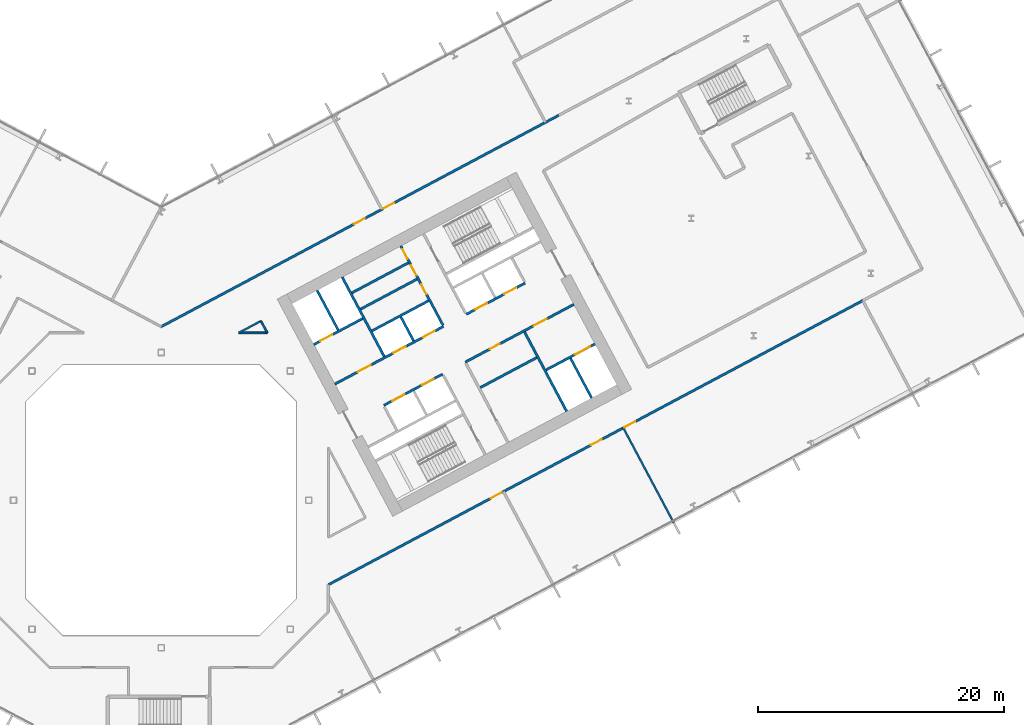
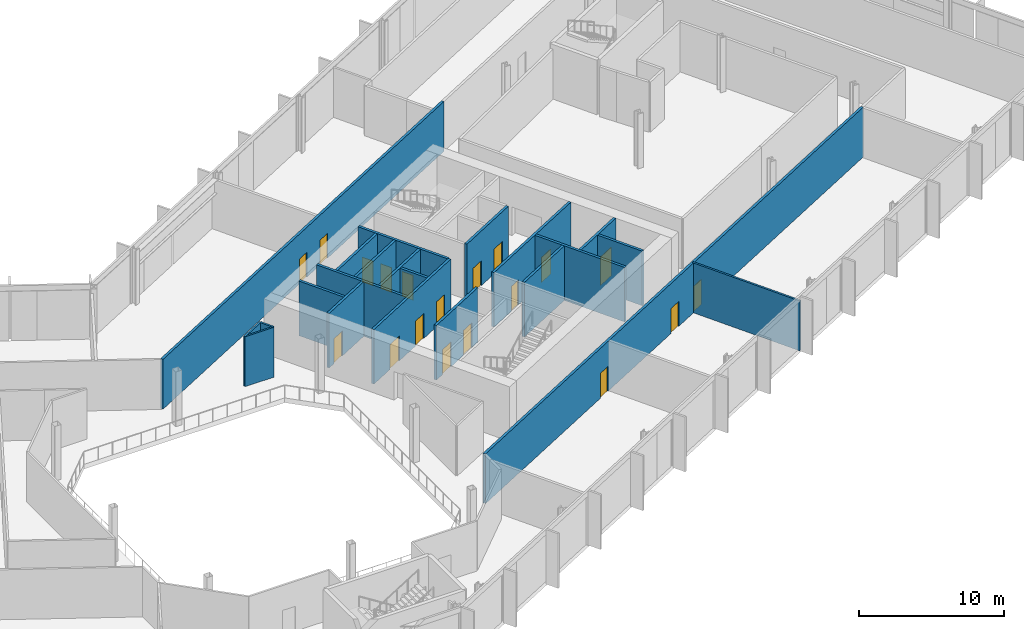
# One storey, part 17 of 30: 22 walls, 19 doors, 19 openings.
"""IFC4 building model written with IfcOpenShell, lengths in metres."""

from ifc_helpers import new_model, si_unit, direction, frame, frame_2d, origin, place, context, subcontext, project, spatial, rectangle, extrude, material, layer, layer_set, type_object, element, fill, save


model = new_model("IFC4")

# Units and contexts
model_context = context("Model", 3, precision=1e-05, world=origin(), true_north=direction((0.0, 1.0)))
body_context = subcontext(model_context, "Body", "Model", "MODEL_VIEW")
ifc_project = project(units=[si_unit("LENGTHUNIT", "METRE"), si_unit("AREAUNIT", "SQUARE_METRE"), si_unit("VOLUMEUNIT", "CUBIC_METRE"), si_unit("PLANEANGLEUNIT", "RADIAN"), si_unit("MASSUNIT", "GRAM", prefix="KILO")], contexts=[model_context])

# Site, building, storey
site_placement = place(None, origin())
site = spatial("IfcSite", under=ifc_project, at=site_placement, CompositionType="ELEMENT")
building_placement = place(site_placement, origin())
building = spatial("IfcBuilding", under=site, at=building_placement, Name="Cormorant Relay Tower", CompositionType="ELEMENT")
storey_placement = place(building_placement, frame((0.0, 0.0, 89.199951171875)))
storey = spatial("IfcBuildingStorey", under=building, at=storey_placement, Name="L17", CompositionType="ELEMENT", Elevation=89.199951171875)

# Walls
ifc_material_1 = material(Name="Concrete 40 MPa", Category="concrete")
ifc_layer_1 = layer(ifc_material_1, 0.199951171875)
ifc_layer_set_1 = layer_set([ifc_layer_1], Name="Core internal wall 200")
wall_type_1 = type_object("IfcWallType", Name="Core internal wall 200", PredefinedType="SOLIDWALL", material=ifc_layer_set_1)
wall_1_placement = place(storey_placement, frame((20.522216796875, 12.950439453125, 0.0), z_axis=(0.0, 0.0, 1.0), x_axis=(-0.469401318492, 0.882984938828, 0.0)))
element("IfcWall", 1, at=wall_1_placement, inside=storey, type_object=wall_type_1, Name="L17 core B shaft and room wall", PredefinedType="SOLIDWALL", context=body_context, shape_type="SweptSolid", body=[
    extrude(rectangle(XDim=2.199951171875, YDim=0.199951171875, at=frame_2d((1.10009765625, 0.0))), origin(), (0.0, 0.0, 1.0), 4.60009765625),
])
for number, where, z_axis, x_axis, name in (
    (2, (16.2080078125, 15.526611328125, 0.0), (0.0, 0.0, 1.0), (0.882953967957, 0.469459572775, 0.0), "L17 core B shaft and room wall"),
    (3, (15.503662109375, 16.85107421875, 0.0), (0.0, 0.0, 1.0), (0.882953967957, 0.469459572775, 0.0), "L17 core B shaft and room wall"),
):
    element("IfcWall", number, at=place(storey_placement, frame(where, z_axis=z_axis, x_axis=x_axis)), inside=storey, type_object=wall_type_1, Name=name, PredefinedType="SOLIDWALL", context=body_context, shape_type="SweptSolid", body=[
        extrude(rectangle(XDim=5.199951171875, YDim=0.199951171875, at=frame_2d((2.60009765625, 0.0))), origin(), (0.0, 0.0, 1.0), 4.60009765625),
    ])
ifc_material_2 = material(Name="Concrete 50 MPa", Category="concrete")
ifc_layer_2 = layer(ifc_material_2, 0.199951171875)
ifc_layer_set_2 = layer_set([ifc_layer_2], Name="Core shaft wall 200")
wall_type_2 = type_object("IfcWallType", Name="Core shaft wall 200", PredefinedType="SHEAR", material=ifc_layer_set_2)
wall_2_placement = place(storey_placement, frame((14.39404296875, 13.825927734375, 0.0), z_axis=(0.0, 0.0, 1.0), x_axis=(-0.469494272526, 0.882935517501, 0.0)))
element("IfcWall", 4, at=wall_2_placement, inside=storey, type_object=wall_type_2, Name="L17 core B shaft wall", PredefinedType="SHEAR", context=body_context, shape_type="SweptSolid", body=[
    extrude(rectangle(XDim=3.64990234375, YDim=0.199951171875, at=frame_2d((1.824951171875, 0.0))), origin(), (0.0, 0.0, 1.0), 4.60009765625),
])
wall_3_placement = place(storey_placement, frame((18.138427734375, 11.682861328125, 0.0), z_axis=(0.0, 0.0, 1.0), x_axis=(-0.469480409012, 0.88294288918, 0.0)))
element("IfcWall", 5, at=wall_3_placement, inside=storey, type_object=wall_type_2, Name="L17 core B shaft wall", PredefinedType="SHEAR", context=body_context, shape_type="SweptSolid", body=[
    extrude(rectangle(XDim=7.300048828125, YDim=0.199951171875, at=frame_2d((3.64990234375, 0.0))), origin(), (0.0, 0.0, 1.0), 4.60009765625),
])

# Wall, openings, doors
wall_4_placement = place(storey_placement, frame((22.90625, 14.218017578125, 0.0), z_axis=(0.0, 0.0, 1.0), x_axis=(-0.469480409012, 0.88294288918, 0.0)))
wall_4 = element("IfcWall", 6, at=wall_4_placement, inside=storey, type_object=wall_type_2, Name="L17 core B shaft wall", PredefinedType="SHEAR", context=body_context, shape_type="SweptSolid", body=[
    extrude(rectangle(XDim=7.300048828125, YDim=0.199951171875, at=frame_2d((3.64990234375, 0.0))), origin(), (0.0, 0.0, 1.0), 4.60009765625),
])
opening_1_placement = place(wall_4_placement, frame((2.85009765625, 0.0, 0.0)))
opening_1 = element("IfcOpeningElement", 7, at=opening_1_placement, cuts=wall_4, Name="Opening CDD-134", PredefinedType="OPENING", context=body_context, shape_type="SweptSolid", body=[
    extrude(rectangle(XDim=0.89990234375, YDim=2.10009765625, at=frame_2d((0.449951171875, 1.050048828125))), frame((0.0, 0.10986328125, 0.0), z_axis=(0.0, -1.0, 0.0), x_axis=(1.0, 0.0, 0.0)), (0.0, 0.0, 1.0), 0.219970703125),
])
opening_2_placement = place(wall_4_placement, frame((4.60009765625, 0.0, 0.0)))
opening_2 = element("IfcOpeningElement", 8, at=opening_2_placement, cuts=wall_4, Name="Opening CDD-135", PredefinedType="OPENING", context=body_context, shape_type="SweptSolid", body=[
    extrude(rectangle(XDim=0.89990234375, YDim=2.10009765625, at=frame_2d((0.449951171875, 1.050048828125))), frame((0.0, 0.10986328125, 0.0), z_axis=(0.0, -1.0, 0.0), x_axis=(1.0, 0.0, 0.0)), (0.0, 0.0, 1.0), 0.219970703125),
])
opening_3_placement = place(wall_4_placement, frame((6.10009765625, 0.0, 0.0)))
opening_3 = element("IfcOpeningElement", 9, at=opening_3_placement, cuts=wall_4, Name="Opening CDD-136", PredefinedType="OPENING", context=body_context, shape_type="SweptSolid", body=[
    extrude(rectangle(XDim=0.89990234375, YDim=2.10009765625, at=frame_2d((0.449951171875, 1.050048828125))), frame((0.0, 0.10986328125, 0.0), z_axis=(0.0, -1.0, 0.0), x_axis=(1.0, 0.0, 0.0)), (0.0, 0.0, 1.0), 0.219970703125),
])
ifc_material_3 = material(Name="Steel fire door", Category="steel")
door_type_1 = type_object("IfcDoorType", Name="Core room door 900x2100", OperationType="SINGLE_SWING_LEFT", PredefinedType="DOOR", material=ifc_material_3)
door_1_placement = place(opening_1_placement, origin())
door_1 = element("IfcDoor", 10, at=door_1_placement, inside=storey, type_object=door_type_1, Name="Core room door 900x2100", OperationType="SINGLE_SWING_RIGHT", OverallHeight=2.10009765625, OverallWidth=0.89990234375, PredefinedType="DOOR", context=body_context, shape_type="SweptSolid", body=[
    extrude(rectangle(XDim=0.89990234375, YDim=2.10009765625, at=frame_2d((0.449951171875, 1.050048828125))), frame((0.0, 0.02490234375, 0.0), z_axis=(0.0, -1.0, 0.0), x_axis=(1.0, 0.0, 0.0)), (0.0, 0.0, 1.0), 0.050048828125),
])
fill(opening_1, door_1)
door_2_placement = place(opening_2_placement, origin())
door_2 = element("IfcDoor", 11, at=door_2_placement, inside=storey, type_object=door_type_1, Name="Core room door 900x2100", OperationType="SINGLE_SWING_LEFT", OverallHeight=2.10009765625, OverallWidth=0.89990234375, PredefinedType="DOOR", context=body_context, shape_type="SweptSolid", body=[
    extrude(rectangle(XDim=0.89990234375, YDim=2.10009765625, at=frame_2d((0.449951171875, 1.050048828125))), frame((0.0, 0.02490234375, 0.0), z_axis=(0.0, -1.0, 0.0), x_axis=(1.0, 0.0, 0.0)), (0.0, 0.0, 1.0), 0.050048828125),
])
fill(opening_2, door_2)
door_3_placement = place(opening_3_placement, origin())
door_3 = element("IfcDoor", 12, at=door_3_placement, inside=storey, type_object=door_type_1, Name="Core room door 900x2100", OperationType="SINGLE_SWING_LEFT", OverallHeight=2.10009765625, OverallWidth=0.89990234375, PredefinedType="DOOR", context=body_context, shape_type="SweptSolid", body=[
    extrude(rectangle(XDim=0.89990234375, YDim=2.10009765625, at=frame_2d((0.449951171875, 1.050048828125))), frame((0.0, 0.02490234375, 0.0), z_axis=(0.0, -1.0, 0.0), x_axis=(1.0, 0.0, 0.0)), (0.0, 0.0, 1.0), 0.050048828125),
])
fill(opening_3, door_3)

# Walls
wall_5_placement = place(storey_placement, frame((32.968017578125, 7.222900390625, 0.0), z_axis=(0.0, 0.0, 1.0), x_axis=(-0.469480409012, 0.88294288918, 0.0)))
element("IfcWall", 13, at=wall_5_placement, inside=storey, type_object=wall_type_2, Name="L17 core B shaft wall", PredefinedType="SHEAR", context=body_context, shape_type="SweptSolid", body=[
    extrude(rectangle(XDim=7.300048828125, YDim=0.199951171875, at=frame_2d((3.64990234375, 0.0))), origin(), (0.0, 0.0, 1.0), 4.60009765625),
])
wall_6_placement = place(storey_placement, frame((34.998779296875, 8.302734375, 0.0), z_axis=(0.0, 0.0, 1.0), x_axis=(-0.4694665462, 0.882950260207, 0.0)))
element("IfcWall", 14, at=wall_6_placement, inside=storey, type_object=wall_type_2, Name="L17 core B shaft wall", PredefinedType="SHEAR", context=body_context, shape_type="SweptSolid", body=[
    extrude(rectangle(XDim=3.650146484375, YDim=0.199951171875, at=frame_2d((1.8251953125, 0.0))), origin(), (0.0, 0.0, 1.0), 4.60009765625),
])

# Wall, opening, door
wall_7_placement = place(storey_placement, frame((31.295654296875, 10.5810546875, 0.0), z_axis=(0.0, 0.0, 1.0), x_axis=(0.882960433586, 0.469447412093, 0.0)))
wall_7 = element("IfcWall", 15, at=wall_7_placement, inside=storey, type_object=wall_type_2, Name="L17 core B shaft wall", PredefinedType="SHEAR", context=body_context, shape_type="SweptSolid", body=[
    extrude(rectangle(XDim=4.5, YDim=0.199951171875, at=frame_2d((2.25, 0.0))), origin(), (0.0, 0.0, 1.0), 4.60009765625),
])
opening_4_placement = place(wall_7_placement, frame((2.64990234375, 0.0, 0.0)))
opening_4 = element("IfcOpeningElement", 16, at=opening_4_placement, cuts=wall_7, Name="Opening LD3-010", PredefinedType="OPENING", context=body_context, shape_type="SweptSolid", body=[
    extrude(rectangle(XDim=1.39990234375, YDim=2.39990234375, at=frame_2d((0.699951171875, 1.199951171875))), frame((0.0, 0.10986328125, 0.0), z_axis=(0.0, -1.0, 0.0), x_axis=(1.0, 0.0, 0.0)), (0.0, 0.0, 1.0), 0.219970703125),
])
ifc_material_4 = material(Name="Stainless steel 316", Category="steel")
door_type_2 = type_object("IfcDoorType", Name="Lift landing door 1400x2400", OperationType="DOUBLE_DOOR_SLIDING", PredefinedType="DOOR", material=ifc_material_4)
door_4_placement = place(opening_4_placement, origin())
door_4 = element("IfcDoor", 17, at=door_4_placement, inside=storey, type_object=door_type_2, Name="SV2 landing door", OperationType="DOUBLE_DOOR_SLIDING", OverallHeight=2.39990234375, OverallWidth=1.39990234375, PredefinedType="DOOR", context=body_context, shape_type="SweptSolid", body=[
    extrude(rectangle(XDim=1.39990234375, YDim=2.39990234375, at=frame_2d((0.699951171875, 1.199951171875))), frame((0.0, 0.02490234375, 0.0), z_axis=(0.0, -1.0, 0.0), x_axis=(1.0, 0.0, 0.0)), (0.0, 0.0, 1.0), 0.050048828125),
])
fill(opening_4, door_4)

# Wall
wall_8_placement = place(storey_placement, frame((25.94091796875, 9.149658203125, 0.0), z_axis=(0.0, 0.0, 1.0), x_axis=(0.882953967957, 0.469459572775, 0.0)))
element("IfcWall", 18, at=wall_8_placement, inside=storey, type_object=wall_type_2, Name="L17 core B shaft wall", PredefinedType="SHEAR", context=body_context, shape_type="SweptSolid", body=[
    extrude(rectangle(XDim=5.199951171875, YDim=0.199951171875, at=frame_2d((2.60009765625, 0.0))), origin(), (0.0, 0.0, 1.0), 4.60009765625),
])

# Wall, openings, doors
wall_9_placement = place(storey_placement, frame((18.103759765625, 7.70068359375, 0.0), z_axis=(0.0, 0.0, 1.0), x_axis=(0.882952937579, 0.469461510692, 0.0)))
wall_9 = element("IfcWall", 19, at=wall_9_placement, inside=storey, type_object=wall_type_2, Name="L17 core B shaft wall", PredefinedType="SHEAR", context=body_context, shape_type="SweptSolid", body=[
    extrude(rectangle(XDim=5.400146484375, YDim=0.199951171875, at=frame_2d((2.7001953125, 0.0))), origin(), (0.0, 0.0, 1.0), 4.60009765625),
])
opening_5_placement = place(wall_9_placement, frame((0.800048828125, 0.0, 0.0)))
opening_5 = element("IfcOpeningElement", 20, at=opening_5_placement, cuts=wall_9, Name="Opening LD1-032", PredefinedType="OPENING", context=body_context, shape_type="SweptSolid", body=[
    extrude(rectangle(XDim=1.10009765625, YDim=2.10009765625, at=frame_2d((0.550048828125, 1.050048828125))), frame((0.0, 0.10986328125, 0.0), z_axis=(0.0, -1.0, 0.0), x_axis=(1.0, 0.0, 0.0)), (0.0, 0.0, 1.0), 0.219970703125),
])
opening_6_placement = place(wall_9_placement, frame((3.5, 0.0, 0.0)))
opening_6 = element("IfcOpeningElement", 21, at=opening_6_placement, cuts=wall_9, Name="Opening LD1-033", PredefinedType="OPENING", context=body_context, shape_type="SweptSolid", body=[
    extrude(rectangle(XDim=1.10009765625, YDim=2.10009765625, at=frame_2d((0.550048828125, 1.050048828125))), frame((0.0, 0.10986328125, 0.0), z_axis=(0.0, -1.0, 0.0), x_axis=(1.0, 0.0, 0.0)), (0.0, 0.0, 1.0), 0.219970703125),
])
ifc_material_5 = material(Name="Stainless steel 316", Category="steel")
door_type_3 = type_object("IfcDoorType", Name="Lift landing door 1100x2100", OperationType="DOUBLE_DOOR_SLIDING", PredefinedType="DOOR", material=ifc_material_5)
door_5_placement = place(opening_5_placement, origin())
door_5 = element("IfcDoor", 22, at=door_5_placement, inside=storey, type_object=door_type_3, Name="LR5 landing door", OperationType="DOUBLE_DOOR_SLIDING", OverallHeight=2.10009765625, OverallWidth=1.10009765625, PredefinedType="DOOR", context=body_context, shape_type="SweptSolid", body=[
    extrude(rectangle(XDim=1.10009765625, YDim=2.10009765625, at=frame_2d((0.550048828125, 1.050048828125))), frame((0.0, 0.02490234375, 0.0), z_axis=(0.0, -1.0, 0.0), x_axis=(1.0, 0.0, 0.0)), (0.0, 0.0, 1.0), 0.050048828125),
])
fill(opening_5, door_5)
door_6_placement = place(opening_6_placement, origin())
door_6 = element("IfcDoor", 23, at=door_6_placement, inside=storey, type_object=door_type_3, Name="LR6 landing door", OperationType="DOUBLE_DOOR_SLIDING", OverallHeight=2.10009765625, OverallWidth=1.10009765625, PredefinedType="DOOR", context=body_context, shape_type="SweptSolid", body=[
    extrude(rectangle(XDim=1.10009765625, YDim=2.10009765625, at=frame_2d((0.550048828125, 1.050048828125))), frame((0.0, 0.02490234375, 0.0), z_axis=(0.0, -1.0, 0.0), x_axis=(1.0, 0.0, 0.0)), (0.0, 0.0, 1.0), 0.050048828125),
])
fill(opening_6, door_6)

wall_10_placement = place(storey_placement, frame((24.72607421875, 11.2216796875, 0.0), z_axis=(0.0, 0.0, 1.0), x_axis=(0.882940221191, 0.469485426614, 0.0)))
wall_10 = element("IfcWall", 24, at=wall_10_placement, inside=storey, type_object=wall_type_2, Name="L17 core B shaft wall", PredefinedType="SHEAR", context=body_context, shape_type="SweptSolid", body=[
    extrude(rectangle(XDim=10.0, YDim=0.199951171875, at=frame_2d((5.0, 0.0))), origin(), (0.0, 0.0, 1.0), 4.60009765625),
])
opening_7_placement = place(wall_10_placement, frame((6.300048828125, 0.0, 0.0)))
opening_7 = element("IfcOpeningElement", 25, at=opening_7_placement, cuts=wall_10, Name="Opening CDC-020", PredefinedType="OPENING", context=body_context, shape_type="SweptSolid", body=[
    extrude(rectangle(XDim=1.199951171875, YDim=2.10009765625, at=frame_2d((0.60009765625, 1.050048828125))), frame((0.0, 0.10986328125, 0.0), z_axis=(0.0, -1.0, 0.0), x_axis=(1.0, 0.0, 0.0)), (0.0, 0.0, 1.0), 0.219970703125),
])
opening_8_placement = place(wall_10_placement, frame((2.25, 0.0, 0.0)))
opening_8 = element("IfcOpeningElement", 26, at=opening_8_placement, cuts=wall_10, Name="Opening CDD-133", PredefinedType="OPENING", context=body_context, shape_type="SweptSolid", body=[
    extrude(rectangle(XDim=0.89990234375, YDim=2.10009765625, at=frame_2d((0.449951171875, 1.050048828125))), frame((0.0, 0.10986328125, 0.0), z_axis=(0.0, -1.0, 0.0), x_axis=(1.0, 0.0, 0.0)), (0.0, 0.0, 1.0), 0.219970703125),
])
ifc_material_6 = material(Name="Steel fire door", Category="steel")
door_type_4 = type_object("IfcDoorType", Name="Core lobby door 1200x2100", OperationType="SINGLE_SWING_LEFT", PredefinedType="DOOR", material=ifc_material_6)
door_7_placement = place(opening_7_placement, frame((1.199951171875, 0.0, 0.0), z_axis=(0.0, 0.0, 1.0), x_axis=(-1.0, 0.0, 0.0)))
door_7 = element("IfcDoor", 27, at=door_7_placement, inside=storey, type_object=door_type_4, Name="Core lobby door 1200x2100", OperationType="SINGLE_SWING_RIGHT", OverallHeight=2.10009765625, OverallWidth=1.199951171875, PredefinedType="DOOR", context=body_context, shape_type="SweptSolid", body=[
    extrude(rectangle(XDim=1.199951171875, YDim=2.10009765625, at=frame_2d((0.60009765625, 1.050048828125))), frame((0.0, 0.02490234375, 0.0), z_axis=(0.0, -1.0, 0.0), x_axis=(1.0, 0.0, 0.0)), (0.0, 0.0, 1.0), 0.050048828125),
])
fill(opening_7, door_7)
door_8_placement = place(opening_8_placement, frame((0.89990234375, 0.0, 0.0), z_axis=(0.0, 0.0, 1.0), x_axis=(-1.0, 0.0, 0.0)))
door_8 = element("IfcDoor", 28, at=door_8_placement, inside=storey, type_object=door_type_1, Name="Core room door 900x2100", OperationType="SINGLE_SWING_RIGHT", OverallHeight=2.10009765625, OverallWidth=0.89990234375, PredefinedType="DOOR", context=body_context, shape_type="SweptSolid", body=[
    extrude(rectangle(XDim=0.89990234375, YDim=2.10009765625, at=frame_2d((0.449951171875, 1.050048828125))), frame((0.0, 0.02490234375, 0.0), z_axis=(0.0, -1.0, 0.0), x_axis=(1.0, 0.0, 0.0)), (0.0, 0.0, 1.0), 0.050048828125),
])
fill(opening_8, door_8)

wall_11_placement = place(storey_placement, frame((14.123779296875, 9.43505859375, 0.0), z_axis=(0.0, 0.0, 1.0), x_axis=(0.882940221191, 0.469485426614, 0.0)))
wall_11 = element("IfcWall", 29, at=wall_11_placement, inside=storey, type_object=wall_type_2, Name="L17 core B shaft wall", PredefinedType="SHEAR", context=body_context, shape_type="SweptSolid", body=[
    extrude(rectangle(XDim=10.0, YDim=0.199951171875, at=frame_2d((5.0, 0.0))), origin(), (0.0, 0.0, 1.0), 4.60009765625),
])
opening_9_placement = place(wall_11_placement, frame((2.10009765625, 0.0, 0.0)))
opening_9 = element("IfcOpeningElement", 30, at=opening_9_placement, cuts=wall_11, Name="Opening CDC-019", PredefinedType="OPENING", context=body_context, shape_type="SweptSolid", body=[
    extrude(rectangle(XDim=1.199951171875, YDim=2.10009765625, at=frame_2d((0.60009765625, 1.050048828125))), frame((0.0, 0.10986328125, 0.0), z_axis=(0.0, -1.0, 0.0), x_axis=(1.0, 0.0, 0.0)), (0.0, 0.0, 1.0), 0.219970703125),
])
opening_10_placement = place(wall_11_placement, frame((5.39990234375, 0.0, 0.0)))
opening_10 = element("IfcOpeningElement", 31, at=opening_10_placement, cuts=wall_11, Name="Opening LD1-028", PredefinedType="OPENING", context=body_context, shape_type="SweptSolid", body=[
    extrude(rectangle(XDim=1.10009765625, YDim=2.10009765625, at=frame_2d((0.550048828125, 1.050048828125))), frame((0.0, 0.10986328125, 0.0), z_axis=(0.0, -1.0, 0.0), x_axis=(1.0, 0.0, 0.0)), (0.0, 0.0, 1.0), 0.219970703125),
])
opening_11_placement = place(wall_11_placement, frame((8.10009765625, 0.0, 0.0)))
opening_11 = element("IfcOpeningElement", 32, at=opening_11_placement, cuts=wall_11, Name="Opening LD1-029", PredefinedType="OPENING", context=body_context, shape_type="SweptSolid", body=[
    extrude(rectangle(XDim=1.10009765625, YDim=2.10009765625, at=frame_2d((0.550048828125, 1.050048828125))), frame((0.0, 0.10986328125, 0.0), z_axis=(0.0, -1.0, 0.0), x_axis=(1.0, 0.0, 0.0)), (0.0, 0.0, 1.0), 0.219970703125),
])
door_9_placement = place(opening_9_placement, origin())
door_9 = element("IfcDoor", 33, at=door_9_placement, inside=storey, type_object=door_type_4, Name="Core lobby door 1200x2100", OperationType="SINGLE_SWING_RIGHT", OverallHeight=2.10009765625, OverallWidth=1.199951171875, PredefinedType="DOOR", context=body_context, shape_type="SweptSolid", body=[
    extrude(rectangle(XDim=1.199951171875, YDim=2.10009765625, at=frame_2d((0.60009765625, 1.050048828125))), frame((0.0, 0.02490234375, 0.0), z_axis=(0.0, -1.0, 0.0), x_axis=(1.0, 0.0, 0.0)), (0.0, 0.0, 1.0), 0.050048828125),
])
fill(opening_9, door_9)
door_10_placement = place(opening_10_placement, origin())
door_10 = element("IfcDoor", 34, at=door_10_placement, inside=storey, type_object=door_type_3, Name="LR1 landing door", OperationType="DOUBLE_DOOR_SLIDING", OverallHeight=2.10009765625, OverallWidth=1.10009765625, PredefinedType="DOOR", context=body_context, shape_type="SweptSolid", body=[
    extrude(rectangle(XDim=1.10009765625, YDim=2.10009765625, at=frame_2d((0.550048828125, 1.050048828125))), frame((0.0, 0.02490234375, 0.0), z_axis=(0.0, -1.0, 0.0), x_axis=(1.0, 0.0, 0.0)), (0.0, 0.0, 1.0), 0.050048828125),
])
fill(opening_10, door_10)
door_11_placement = place(opening_11_placement, origin())
door_11 = element("IfcDoor", 35, at=door_11_placement, inside=storey, type_object=door_type_3, Name="LR2 landing door", OperationType="DOUBLE_DOOR_SLIDING", OverallHeight=2.10009765625, OverallWidth=1.10009765625, PredefinedType="DOOR", context=body_context, shape_type="SweptSolid", body=[
    extrude(rectangle(XDim=1.10009765625, YDim=2.10009765625, at=frame_2d((0.550048828125, 1.050048828125))), frame((0.0, 0.02490234375, 0.0), z_axis=(0.0, -1.0, 0.0), x_axis=(1.0, 0.0, 0.0)), (0.0, 0.0, 1.0), 0.050048828125),
])
fill(opening_11, door_11)

wall_12_placement = place(storey_placement, frame((24.807373046875, 15.11572265625, 0.0), z_axis=(0.0, 0.0, 1.0), x_axis=(0.882942972946, 0.469480251476, 0.0)))
wall_12 = element("IfcWall", 36, at=wall_12_placement, inside=storey, type_object=wall_type_2, Name="L17 core B shaft wall", PredefinedType="SHEAR", context=body_context, shape_type="SweptSolid", body=[
    extrude(rectangle(XDim=5.39990234375, YDim=0.199951171875, at=frame_2d((2.699951171875, 0.0))), origin(), (0.0, 0.0, 1.0), 4.60009765625),
])
opening_12_placement = place(wall_12_placement, frame((0.800048828125, 0.0, 0.0)))
opening_12 = element("IfcOpeningElement", 37, at=opening_12_placement, cuts=wall_12, Name="Opening LD1-030", PredefinedType="OPENING", context=body_context, shape_type="SweptSolid", body=[
    extrude(rectangle(XDim=1.10009765625, YDim=2.10009765625, at=frame_2d((0.550048828125, 1.050048828125))), frame((0.0, 0.10986328125, 0.0), z_axis=(0.0, -1.0, 0.0), x_axis=(1.0, 0.0, 0.0)), (0.0, 0.0, 1.0), 0.219970703125),
])
opening_13_placement = place(wall_12_placement, frame((3.5, 0.0, 0.0)))
opening_13 = element("IfcOpeningElement", 38, at=opening_13_placement, cuts=wall_12, Name="Opening LD1-031", PredefinedType="OPENING", context=body_context, shape_type="SweptSolid", body=[
    extrude(rectangle(XDim=1.10009765625, YDim=2.10009765625, at=frame_2d((0.550048828125, 1.050048828125))), frame((0.0, 0.10986328125, 0.0), z_axis=(0.0, -1.0, 0.0), x_axis=(1.0, 0.0, 0.0)), (0.0, 0.0, 1.0), 0.219970703125),
])
door_12_placement = place(opening_12_placement, origin())
door_12 = element("IfcDoor", 39, at=door_12_placement, inside=storey, type_object=door_type_3, Name="LR3 landing door", OperationType="DOUBLE_DOOR_SLIDING", OverallHeight=2.10009765625, OverallWidth=1.10009765625, PredefinedType="DOOR", context=body_context, shape_type="SweptSolid", body=[
    extrude(rectangle(XDim=1.10009765625, YDim=2.10009765625, at=frame_2d((0.550048828125, 1.050048828125))), frame((0.0, 0.02490234375, 0.0), z_axis=(0.0, -1.0, 0.0), x_axis=(1.0, 0.0, 0.0)), (0.0, 0.0, 1.0), 0.050048828125),
])
fill(opening_12, door_12)
door_13_placement = place(opening_13_placement, origin())
door_13 = element("IfcDoor", 40, at=door_13_placement, inside=storey, type_object=door_type_3, Name="LR4 landing door", OperationType="DOUBLE_DOOR_SLIDING", OverallHeight=2.10009765625, OverallWidth=1.10009765625, PredefinedType="DOOR", context=body_context, shape_type="SweptSolid", body=[
    extrude(rectangle(XDim=1.10009765625, YDim=2.10009765625, at=frame_2d((0.550048828125, 1.050048828125))), frame((0.0, 0.02490234375, 0.0), z_axis=(0.0, -1.0, 0.0), x_axis=(1.0, 0.0, 0.0)), (0.0, 0.0, 1.0), 0.050048828125),
])
fill(opening_13, door_13)

# Wall
wall_13_placement = place(storey_placement, frame((17.146728515625, 13.7607421875, 0.0), z_axis=(0.0, 0.0, 1.0), x_axis=(0.882964314875, 0.469440111896, 0.0)))
element("IfcWall", 41, at=wall_13_placement, inside=storey, type_object=wall_type_2, Name="L17 core B shaft wall", PredefinedType="SHEAR", context=body_context, shape_type="SweptSolid", body=[
    extrude(rectangle(XDim=5.2001953125, YDim=0.199951171875, at=frame_2d((2.60009765625, 0.0))), origin(), (0.0, 0.0, 1.0), 4.60009765625),
])

# Wall, opening, door
wall_14_placement = place(storey_placement, frame((12.41015625, 12.657958984375, 0.0), z_axis=(0.0, 0.0, 1.0), x_axis=(0.8829484765, 0.469469900894, 0.0)))
wall_14 = element("IfcWall", 42, at=wall_14_placement, inside=storey, type_object=wall_type_2, Name="L17 core B shaft wall", PredefinedType="SHEAR", context=body_context, shape_type="SweptSolid", body=[
    extrude(rectangle(XDim=4.499755859375, YDim=0.199951171875, at=frame_2d((2.25, 0.0))), origin(), (0.0, 0.0, 1.0), 4.60009765625),
])
opening_14_placement = place(wall_14_placement, frame((0.60009765625, 0.0, 0.0)))
opening_14 = element("IfcOpeningElement", 43, at=opening_14_placement, cuts=wall_14, Name="Opening LD1-034", PredefinedType="OPENING", context=body_context, shape_type="SweptSolid", body=[
    extrude(rectangle(XDim=1.10009765625, YDim=2.10009765625, at=frame_2d((0.550048828125, 1.050048828125))), frame((0.0, 0.10986328125, 0.0), z_axis=(0.0, -1.0, 0.0), x_axis=(1.0, 0.0, 0.0)), (0.0, 0.0, 1.0), 0.219970703125),
])
door_14_placement = place(opening_14_placement, origin())
door_14 = element("IfcDoor", 44, at=door_14_placement, inside=storey, type_object=door_type_3, Name="FF2 landing door", OperationType="DOUBLE_DOOR_SLIDING", OverallHeight=2.10009765625, OverallWidth=1.10009765625, PredefinedType="DOOR", context=body_context, shape_type="SweptSolid", body=[
    extrude(rectangle(XDim=1.10009765625, YDim=2.10009765625, at=frame_2d((0.550048828125, 1.050048828125))), frame((0.0, 0.02490234375, 0.0), z_axis=(0.0, -1.0, 0.0), x_axis=(1.0, 0.0, 0.0)), (0.0, 0.0, 1.0), 0.050048828125),
])
fill(opening_14, door_14)

# Wall, openings, doors
ifc_material_7 = material(Name="Fire-rated gypsum board partition")
ifc_layer_3 = layer(ifc_material_7, 0.199951171875)
ifc_layer_set_3 = layer_set([ifc_layer_3], Name="Fire-rated gypsum partition 200")
wall_type_3 = type_object("IfcWallType", Name="Fire-rated gypsum partition 200", PredefinedType="PARTITIONING", material=ifc_layer_set_3)
wall_15_placement = place(storey_placement, frame((0.0, 14.10009765625, 0.0), z_axis=(0.0, 0.0, 1.0), x_axis=(0.882942713919, 0.469480738623, 0.0)))
wall_15 = element("IfcWall", 45, at=wall_15_placement, inside=storey, type_object=wall_type_3, Name="wall/L17/part/38", PredefinedType="PARTITIONING", context=body_context, shape_type="SweptSolid", body=[
    extrude(rectangle(XDim=36.59130859375, YDim=0.199951171875, at=frame_2d((18.295654296875, 0.0))), origin(), (0.0, 0.0, 1.0), 4.199951171875),
])
opening_15_placement = place(wall_15_placement, frame((20.449951171875, 0.0, 0.0)))
opening_15 = element("IfcOpeningElement", 46, at=opening_15_placement, cuts=wall_15, Name="Opening FD1-100", PredefinedType="OPENING", context=body_context, shape_type="SweptSolid", body=[
    extrude(rectangle(XDim=1.0, YDim=2.10009765625, at=frame_2d((0.5, 1.050048828125))), frame((0.0, 0.10986328125, 0.0), z_axis=(0.0, -1.0, 0.0), x_axis=(1.0, 0.0, 0.0)), (0.0, 0.0, 1.0), 0.219970703125),
])
opening_16_placement = place(wall_15_placement, frame((17.75, 0.0, 0.0)))
opening_16 = element("IfcOpeningElement", 47, at=opening_16_placement, cuts=wall_15, Name="Opening FD1-093", PredefinedType="OPENING", context=body_context, shape_type="SweptSolid", body=[
    extrude(rectangle(XDim=1.0, YDim=2.10009765625, at=frame_2d((0.5, 1.050048828125))), frame((0.0, 0.10986328125, 0.0), z_axis=(0.0, -1.0, 0.0), x_axis=(1.0, 0.0, 0.0)), (0.0, 0.0, 1.0), 0.219970703125),
])
ifc_material_8 = material(Name="Fire-rated steel door", Category="steel")
door_type_5 = type_object("IfcDoorType", Name="Fire door 1000 x 2100", OperationType="SINGLE_SWING_LEFT", PredefinedType="DOOR", material=ifc_material_8)
door_15_placement = place(opening_15_placement, origin())
door_15 = element("IfcDoor", 48, at=door_15_placement, inside=storey, type_object=door_type_5, Name="door/L17/9", OperationType="SINGLE_SWING_LEFT", OverallHeight=2.10009765625, OverallWidth=1.0, PredefinedType="DOOR", context=body_context, shape_type="SweptSolid", body=[
    extrude(rectangle(XDim=1.0, YDim=2.10009765625, at=frame_2d((0.5, 1.050048828125))), frame((0.0, 0.02490234375, 0.0), z_axis=(0.0, -1.0, 0.0), x_axis=(1.0, 0.0, 0.0)), (0.0, 0.0, 1.0), 0.050048828125),
])
fill(opening_15, door_15)
door_16_placement = place(opening_16_placement, origin())
door_16 = element("IfcDoor", 49, at=door_16_placement, inside=storey, type_object=door_type_5, Name="door/L17/10", OperationType="SINGLE_SWING_LEFT", OverallHeight=2.10009765625, OverallWidth=1.0, PredefinedType="DOOR", context=body_context, shape_type="SweptSolid", body=[
    extrude(rectangle(XDim=1.0, YDim=2.10009765625, at=frame_2d((0.5, 1.050048828125))), frame((0.0, 0.02490234375, 0.0), z_axis=(0.0, -1.0, 0.0), x_axis=(1.0, 0.0, 0.0)), (0.0, 0.0, 1.0), 0.050048828125),
])
fill(opening_16, door_16)

wall_16_placement = place(storey_placement, frame((57.041015625, 16.22900390625, 0.0), z_axis=(0.0, 0.0, 1.0), x_axis=(-0.882947975476, -0.469470843188, 0.0)))
wall_16 = element("IfcWall", 50, at=wall_16_placement, inside=storey, type_object=wall_type_3, Name="wall/L17/part/57", PredefinedType="PARTITIONING", context=body_context, shape_type="SweptSolid", body=[
    extrude(rectangle(XDim=49.199951171875, YDim=0.199951171875, at=frame_2d((24.60009765625, 0.0))), origin(), (0.0, 0.0, 1.0), 4.199951171875),
])
opening_17_placement = place(wall_16_placement, frame((33.25, 0.0, 0.0)))
opening_17 = element("IfcOpeningElement", 51, at=opening_17_placement, cuts=wall_16, Name="Opening FD1-095", PredefinedType="OPENING", context=body_context, shape_type="SweptSolid", body=[
    extrude(rectangle(XDim=1.0, YDim=2.10009765625, at=frame_2d((0.5, 1.050048828125))), frame((0.0, 0.10986328125, 0.0), z_axis=(0.0, -1.0, 0.0), x_axis=(1.0, 0.0, 0.0)), (0.0, 0.0, 1.0), 0.219970703125),
])
opening_18_placement = place(wall_16_placement, frame((24.050048828125, 0.0, 0.0)))
opening_18 = element("IfcOpeningElement", 52, at=opening_18_placement, cuts=wall_16, Name="Opening FD1-096", PredefinedType="OPENING", context=body_context, shape_type="SweptSolid", body=[
    extrude(rectangle(XDim=1.0, YDim=2.10009765625, at=frame_2d((0.5, 1.050048828125))), frame((0.0, 0.10986328125, 0.0), z_axis=(0.0, -1.0, 0.0), x_axis=(1.0, 0.0, 0.0)), (0.0, 0.0, 1.0), 0.219970703125),
])
opening_19_placement = place(wall_16_placement, frame((20.949951171875, 0.0, 0.0)))
opening_19 = element("IfcOpeningElement", 53, at=opening_19_placement, cuts=wall_16, Name="Opening FD1-097", PredefinedType="OPENING", context=body_context, shape_type="SweptSolid", body=[
    extrude(rectangle(XDim=1.0, YDim=2.10009765625, at=frame_2d((0.5, 1.050048828125))), frame((0.0, 0.10986328125, 0.0), z_axis=(0.0, -1.0, 0.0), x_axis=(1.0, 0.0, 0.0)), (0.0, 0.0, 1.0), 0.219970703125),
])
door_17_placement = place(opening_17_placement, origin())
door_17 = element("IfcDoor", 54, at=door_17_placement, inside=storey, type_object=door_type_5, Name="door/L17/4", OperationType="SINGLE_SWING_LEFT", OverallHeight=2.10009765625, OverallWidth=1.0, PredefinedType="DOOR", context=body_context, shape_type="SweptSolid", body=[
    extrude(rectangle(XDim=1.0, YDim=2.10009765625, at=frame_2d((0.5, 1.050048828125))), frame((0.0, 0.02490234375, 0.0), z_axis=(0.0, -1.0, 0.0), x_axis=(1.0, 0.0, 0.0)), (0.0, 0.0, 1.0), 0.050048828125),
])
fill(opening_17, door_17)
door_18_placement = place(opening_18_placement, origin())
door_18 = element("IfcDoor", 55, at=door_18_placement, inside=storey, type_object=door_type_5, Name="door/L17/5", OperationType="SINGLE_SWING_RIGHT", OverallHeight=2.10009765625, OverallWidth=1.0, PredefinedType="DOOR", context=body_context, shape_type="SweptSolid", body=[
    extrude(rectangle(XDim=1.0, YDim=2.10009765625, at=frame_2d((0.5, 1.050048828125))), frame((0.0, 0.02490234375, 0.0), z_axis=(0.0, -1.0, 0.0), x_axis=(1.0, 0.0, 0.0)), (0.0, 0.0, 1.0), 0.050048828125),
])
fill(opening_18, door_18)
door_19_placement = place(opening_19_placement, origin())
door_19 = element("IfcDoor", 56, at=door_19_placement, inside=storey, type_object=door_type_5, Name="door/L17/6", OperationType="SINGLE_SWING_RIGHT", OverallHeight=2.10009765625, OverallWidth=1.0, PredefinedType="DOOR", context=body_context, shape_type="SweptSolid", body=[
    extrude(rectangle(XDim=1.0, YDim=2.10009765625, at=frame_2d((0.5, 1.050048828125))), frame((0.0, 0.02490234375, 0.0), z_axis=(0.0, -1.0, 0.0), x_axis=(1.0, 0.0, 0.0)), (0.0, 0.0, 1.0), 0.050048828125),
])
fill(opening_19, door_19)

# Walls
ifc_material_9 = material(Name="Gypsum board partition")
ifc_layer_4 = layer(ifc_material_9, 0.14990234375)
ifc_layer_set_4 = layer_set([ifc_layer_4], Name="Gypsum board partition 150")
wall_type_4 = type_object("IfcWallType", Name="Gypsum board partition 150", PredefinedType="PARTITIONING", material=ifc_layer_set_4)
wall_17_placement = place(storey_placement, frame((37.568115234375, 5.875, 0.0), z_axis=(0.0, 0.0, 1.0), x_axis=(0.469461194384, -0.882953105758, 0.0)))
element("IfcWall", 57, at=wall_17_placement, inside=storey, type_object=wall_type_4, Name="wall/L17/part/63", PredefinedType="PARTITIONING", context=body_context, shape_type="SweptSolid", body=[
    extrude(rectangle(XDim=8.750244140625, YDim=0.14990234375, at=frame_2d((4.375, 0.0))), origin(), (0.0, 0.0, 1.0), 4.199951171875),
])
wall_18_placement = place(storey_placement, frame((8.625, 13.60009765625, 0.0), z_axis=(0.0, 0.0, 1.0), x_axis=(-0.469460742142, 0.882953346212, 0.0)))
element("IfcWall", 58, at=wall_18_placement, inside=storey, type_object=wall_type_4, Name="wall/L17/part/85", PredefinedType="PARTITIONING", context=body_context, shape_type="SweptSolid", body=[
    extrude(rectangle(XDim=1.090576171875, YDim=0.14990234375, at=frame_2d((0.54541015625, 0.0))), origin(), (0.0, 0.0, 1.0), 4.199951171875),
])
wall_19_placement = place(storey_placement, frame((8.113037109375, 14.56298828125, 0.0), z_axis=(0.0, 0.0, 1.0), x_axis=(-0.88306333775, -0.469253813539, 0.0)))
element("IfcWall", 59, at=wall_19_placement, inside=storey, type_object=wall_type_4, Name="wall/L17/part/86", PredefinedType="PARTITIONING", context=body_context, shape_type="SweptSolid", body=[
    extrude(rectangle(XDim=2.052001953125, YDim=0.14990234375, at=frame_2d((1.02587890625, 0.0))), origin(), (0.0, 0.0, 1.0), 4.199951171875),
])
wall_20_placement = place(storey_placement, frame((6.301025390625, 13.60009765625, 0.0), z_axis=(0.0, 0.0, 1.0), x_axis=(1.0, 0.0, 0.0)))
element("IfcWall", 60, at=wall_20_placement, inside=storey, type_object=wall_type_4, Name="wall/L17/part/87", PredefinedType="PARTITIONING", context=body_context, shape_type="SweptSolid", body=[
    extrude(rectangle(XDim=2.323974609375, YDim=0.14990234375, at=frame_2d((1.162109375, 0.0))), origin(), (0.0, 0.0, 1.0), 4.199951171875),
])

save(model, "model.ifc")
